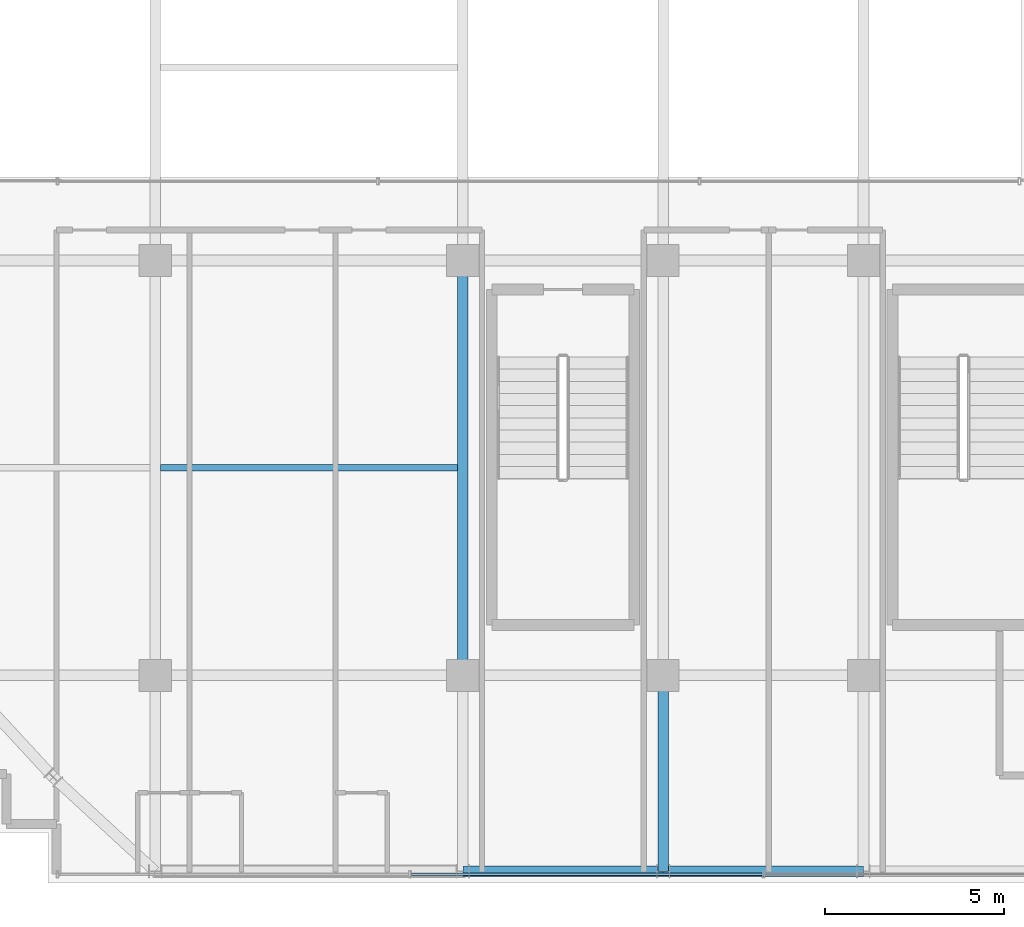
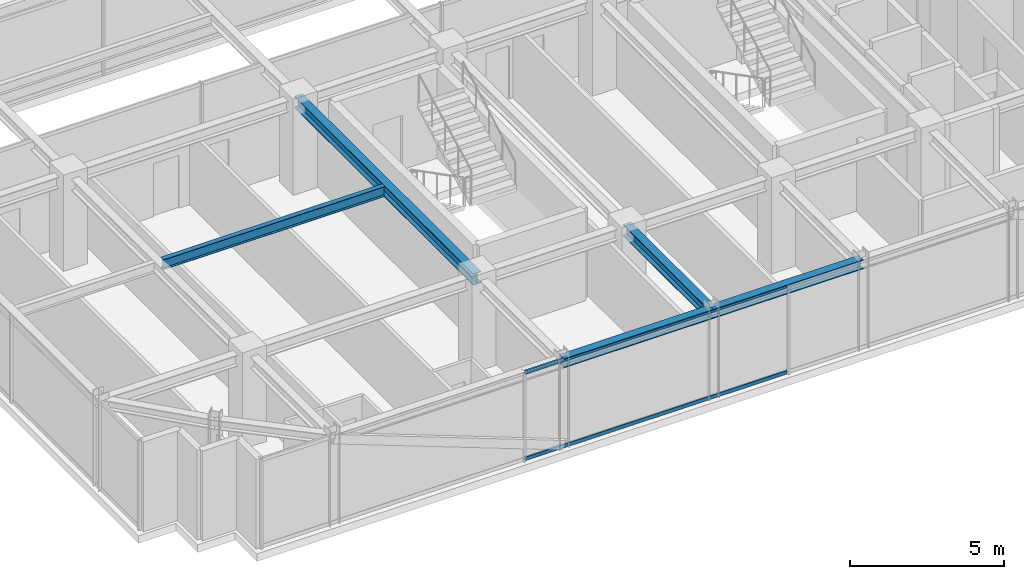
# One storey, part 7 of 39: 5 beams, 2 members, 1 element without a shape of its own.
"""IFC4 building model written with IfcOpenShell, lengths in metres."""

from ifc_helpers import new_model, si_unit, direction, frame, origin, origin_2d, place, context, subcontext, project, spatial, hollow_rectangle, i_section, extrude, source, transform, mapped, material, material_profile, profile_set, type_object, element, aggregate, save


model = new_model("IFC4")

# Units and contexts
model_context = context("Model", 3, precision=1e-05, world=origin(), true_north=direction((0.0, 1.0)))
body_context = subcontext(model_context, "Body", "Model", "MODEL_VIEW")
ifc_project = project(units=[si_unit("LENGTHUNIT", "METRE"), si_unit("AREAUNIT", "SQUARE_METRE"), si_unit("VOLUMEUNIT", "CUBIC_METRE"), si_unit("PLANEANGLEUNIT", "RADIAN"), si_unit("MASSUNIT", "GRAM", prefix="KILO")], contexts=[model_context])

# Site, building, storey
site_placement = place(None, origin())
site = spatial("IfcSite", under=ifc_project, at=site_placement, CompositionType="ELEMENT")
building_placement = place(site_placement, origin())
building = spatial("IfcBuilding", under=site, at=building_placement, Name="Nahalor Promenade Grand Hotel", CompositionType="ELEMENT")
storey_placement = place(building_placement, frame((0.0, 0.0, 311.89990234375)))
storey = spatial("IfcBuildingStorey", under=building, at=storey_placement, Name="L80", CompositionType="ELEMENT", Elevation=311.89990234375)

# Beams
ifc_material_1 = material(Name="Steel S355JR", Category="steel")
ifc_material_profile_1 = material_profile(ifc_material_1, i_section(OverallWidth=0.3, OverallDepth=0.45, WebThickness=0.014, FlangeThickness=0.026, at=origin_2d()), Name="HEB 450")
ifc_profile_set_1 = profile_set([ifc_material_profile_1], Name="Steel S355JR")
beam_type_1 = type_object("IfcBeamType", Name="Beam-Girder-HEB450", PredefinedType="BEAM", material=ifc_profile_set_1)
shared_shape_1 = source(origin(), body_context, "Body", "SweptSolid", [
    extrude(i_section(OverallWidth=0.3, OverallDepth=0.45, WebThickness=0.014, FlangeThickness=0.026, at=origin_2d()), origin(), (0.0, 0.0, 1.0), 11.60009765625),
])
beam_1_placement = place(storey_placement, frame((-8.39990234375, -17.0, 3.3251953125), z_axis=(0.0, 1.0, 0.0), x_axis=(-1.0, 0.0, 0.0)))
element("IfcBeam", 1, at=beam_1_placement, inside=storey, type_object=beam_type_1, Name="BM-L80-GY-1-1", PredefinedType="BEAM", context=body_context, shape_type="MappedRepresentation", body=[
    mapped(shared_shape_1, transform((0.0, 0.0, 0.0), scale=1.0)),
])
ifc_material_profile_2 = material_profile(ifc_material_1, i_section(OverallWidth=0.18, OverallDepth=0.4, WebThickness=0.0086, FlangeThickness=0.0135, at=origin_2d()), Name="IPE 400")
ifc_profile_set_2 = profile_set([ifc_material_profile_2], Name="Steel S355JR")
beam_type_2 = type_object("IfcBeamType", Name="Beam-Joist-IPE400", PredefinedType="JOIST", material=ifc_profile_set_2)
shared_shape_2 = source(origin(), body_context, "Body", "SweptSolid", [
    extrude(i_section(OverallWidth=0.18, OverallDepth=0.4, WebThickness=0.0086, FlangeThickness=0.0135, at=origin_2d()), origin(), (0.0, 0.0, 1.0), 8.300048828125),
])
beam_2_placement = place(storey_placement, frame((-16.85009765625, -11.199951171875, 3.35009765625), z_axis=(1.0, 0.0, 0.0), x_axis=(0.0, 1.0, 0.0)))
element("IfcBeam", 2, at=beam_2_placement, inside=storey, type_object=beam_type_2, Name="BM-L80-JSW-0-1", PredefinedType="JOIST", context=body_context, shape_type="MappedRepresentation", body=[
    mapped(shared_shape_2, transform((0.0, 0.0, 0.0), scale=1.0)),
])
shared_shape_3 = source(origin(), body_context, "Body", "SweptSolid", [
    extrude(i_section(OverallWidth=0.3, OverallDepth=0.45, WebThickness=0.014, FlangeThickness=0.026, at=origin_2d()), origin(), (0.0, 0.0, 1.0), 5.47998046875),
])
beam_3_placement = place(storey_placement, frame((-2.800048828125, -22.47998046875, 3.3251953125), z_axis=(0.0, 1.0, 0.0), x_axis=(-1.0, 0.0, 0.0)))
element("IfcBeam", 3, at=beam_3_placement, inside=storey, type_object=beam_type_1, Name="BM-L80-GY-2-0", PredefinedType="BEAM", context=body_context, shape_type="MappedRepresentation", body=[
    mapped(shared_shape_3, transform((0.0, 0.0, 0.0), scale=1.0)),
])
ifc_material_profile_3 = material_profile(ifc_material_1, i_section(OverallWidth=0.3, OverallDepth=0.36, WebThickness=0.0125, FlangeThickness=0.0225, at=origin_2d()), Name="HEB 360")
ifc_profile_set_3 = profile_set([ifc_material_profile_3], Name="Steel S355JR")
beam_type_3 = type_object("IfcBeamType", Name="Beam-Spandrel-HEB360", PredefinedType="SPANDREL", material=ifc_profile_set_3)
shared_shape_4 = source(origin(), body_context, "Body", "SweptSolid", [
    extrude(i_section(OverallWidth=0.3, OverallDepth=0.36, WebThickness=0.0125, FlangeThickness=0.0225, at=origin_2d()), origin(), (0.0, 0.0, 1.0), 5.599853515625),
])
beam_4_placement = place(storey_placement, frame((-8.39990234375, -22.47998046875, 3.3701171875), z_axis=(1.0, 0.0, 0.0), x_axis=(0.0, 1.0, 0.0)))
element("IfcBeam", 4, at=beam_4_placement, inside=storey, type_object=beam_type_3, Name="BM-L80-SP-S-1", PredefinedType="SPANDREL", context=body_context, shape_type="MappedRepresentation", body=[
    mapped(shared_shape_4, transform((0.0, 0.0, 0.0), scale=1.0)),
])
shared_shape_5 = source(origin(), body_context, "Body", "SweptSolid", [
    extrude(i_section(OverallWidth=0.3, OverallDepth=0.36, WebThickness=0.0125, FlangeThickness=0.0225, at=origin_2d()), origin(), (0.0, 0.0, 1.0), 5.60009765625),
])
beam_5_placement = place(storey_placement, frame((-2.800048828125, -22.47998046875, 3.3701171875), z_axis=(1.0, 0.0, 0.0), x_axis=(0.0, 1.0, 0.0)))
element("IfcBeam", 5, at=beam_5_placement, inside=storey, type_object=beam_type_3, Name="BM-L80-SP-S-2", PredefinedType="SPANDREL", context=body_context, shape_type="MappedRepresentation", body=[
    mapped(shared_shape_5, transform((0.0, 0.0, 0.0), scale=1.0)),
])

# Curtain wall, members
ifc_material_2 = material(Name="Anodised Bronze Aluminium EN AW-6063 T6", Category="aluminium")
curtain_wall_type = type_object("IfcCurtainWallType", Name="CW3 Elliptical-Void Collar Unitised Curtain Wall", PredefinedType="USERDEFINED", material=ifc_material_2)
curtain_wall_placement = place(storey_placement, origin())
curtain_wall = element("IfcCurtainWall", 6, at=curtain_wall_placement, inside=storey, type_object=curtain_wall_type, Name="L80 Curtain Wall CW-L80-S-1", ObjectType="UNITISED_CURTAIN_WALL", PredefinedType="USERDEFINED")
ifc_material_profile_4 = material_profile(ifc_material_2, hollow_rectangle(XDim=0.07, YDim=0.14, WallThickness=0.004, at=origin_2d()), Name="CWT 70x140x4")
ifc_profile_set_4 = profile_set([ifc_material_profile_4], Name="Anodised Bronze Aluminium EN AW-6063 T6")
member_type = type_object("IfcMemberType", Name="CWT3 Void Collar Transom 70x140", PredefinedType="USERDEFINED", material=ifc_profile_set_4)
shared_shape_6 = source(origin(), body_context, "Body", "SweptSolid", [
    extrude(hollow_rectangle(XDim=0.07, YDim=0.14, WallThickness=0.004, at=origin_2d()), origin(), (0.0, 0.0, 1.0), 9.81005859375),
])
member_1_placement = place(storey_placement, frame((-9.844970703125, -22.56005859375, 0.070068359375), z_axis=(1.0, 0.0, 0.0), x_axis=(0.0, 1.0, 0.0)))
member_1 = element("IfcMember", 7, at=member_1_placement, type_object=member_type, Name="CW-L80-S-1 Transom 1-0", ObjectType="TRANSOM", PredefinedType="USERDEFINED", context=body_context, shape_type="MappedRepresentation", body=[
    mapped(shared_shape_6, transform((0.0, 0.0, 0.0), scale=1.0)),
])
member_2_placement = place(storey_placement, frame((-9.844970703125, -22.56005859375, 3.47998046875), z_axis=(1.0, 0.0, 0.0), x_axis=(0.0, 1.0, 0.0)))
member_2 = element("IfcMember", 8, at=member_2_placement, type_object=member_type, Name="CW-L80-S-1 Transom 1-1", ObjectType="TRANSOM", PredefinedType="USERDEFINED", context=body_context, shape_type="MappedRepresentation", body=[
    mapped(shared_shape_6, transform((0.0, 0.0, 0.0), scale=1.0)),
])
aggregate(curtain_wall, [member_1, member_2])

save(model, "model.ifc")
